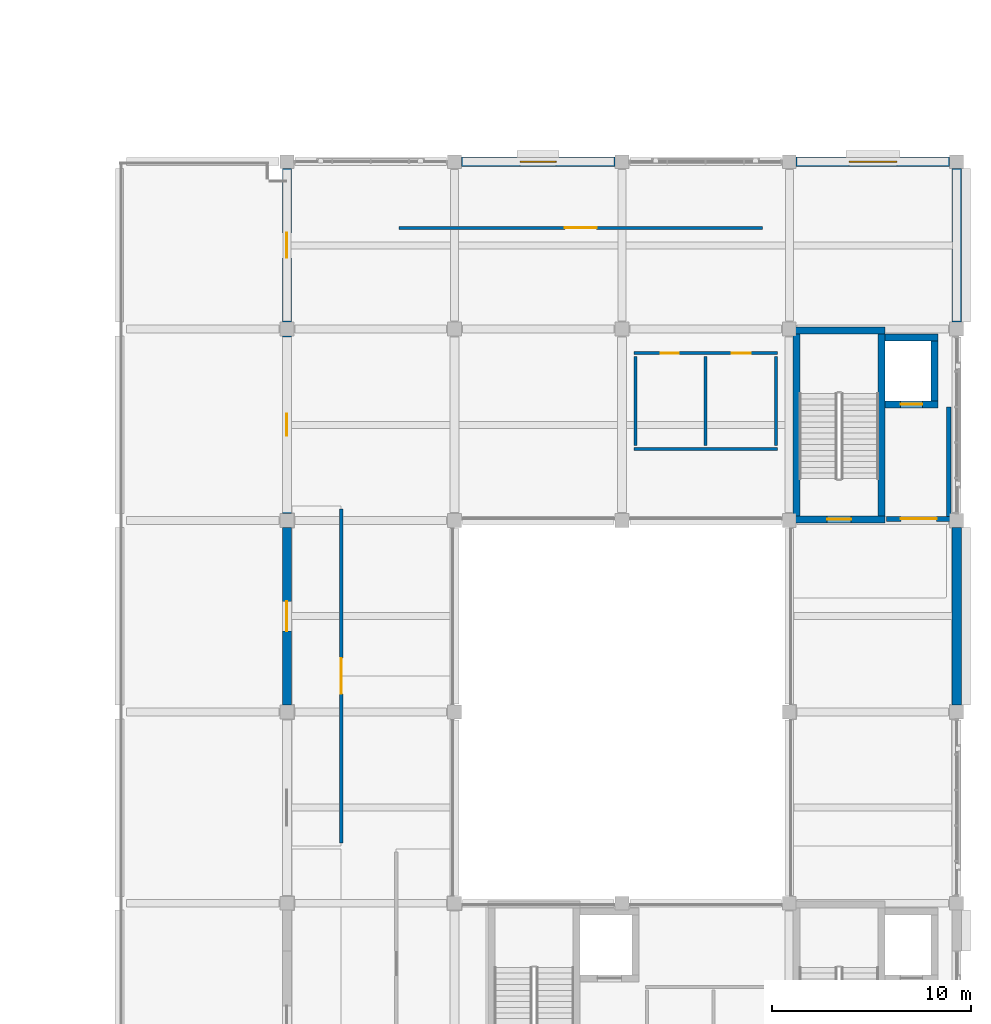
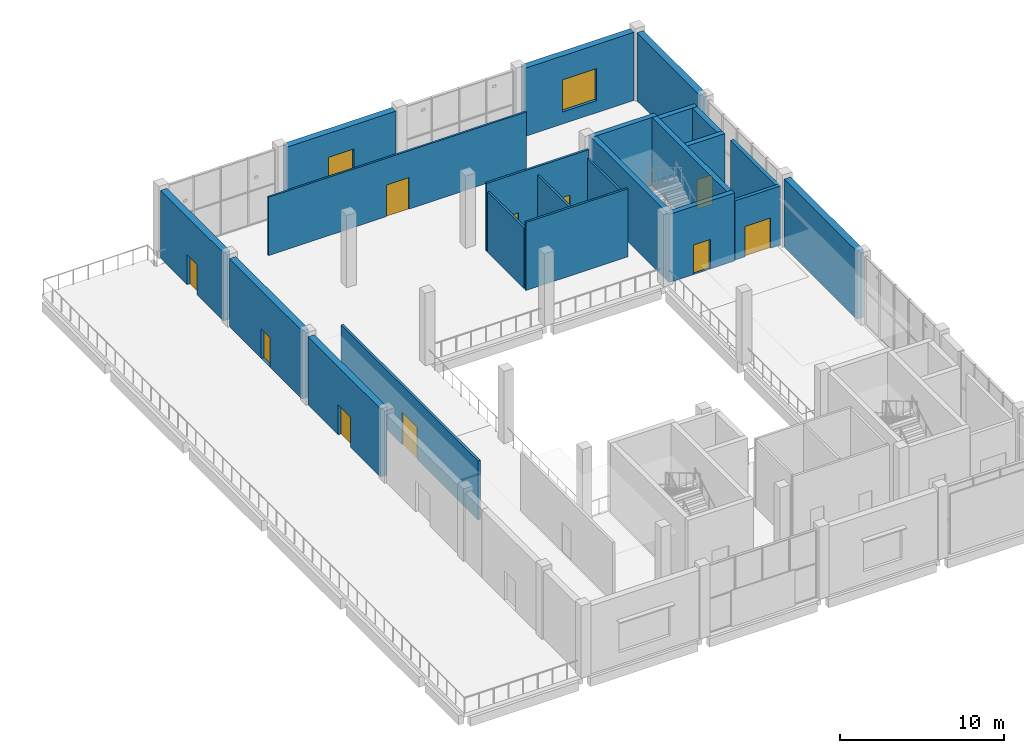
# One storey, part 60 of 83: 23 walls, 10 doors, 2 windows, 12 openings.
"""IFC4 building model written with IfcOpenShell, lengths in metres."""

import ifcopenshell
import ifcopenshell.guid

model = None  # the IFC model being written
_history = None  # IfcOwnerHistory: only IFC2X3 demands one
_inside = {}  # id of a spatial element -> (the spatial element, [elements in it])
_under = {}  # id of a project, library or spatial element -> (it, [spatial elements below it])
_declared = {}  # id of a project -> (the project, [libraries it declares])
_typed = {}  # id of a type object -> (the type object, [elements of that type])
_made_of = {}  # id of a material, layer set ... -> (it, [elements and type objects made of it])


def new_model(schema):
    """Start an empty IFC model of exactly this schema.

    Asked for "IFC4X3", IfcOpenShell would pick the latest addendum, in which some entities
    have other attributes; the version numbers below select the first issue.
    IFC2X3 requires an IfcOwnerHistory on every rooted entity: one is made here for all.
    """
    global model, _history
    if schema == "IFC4X3":
        model = ifcopenshell.file(schema_version=(4, 3, 0, 0))
    else:
        model = ifcopenshell.file(schema=schema)
    _inside.clear()
    _under.clear()
    _declared.clear()
    _typed.clear()
    _made_of.clear()
    _history = None
    if model.schema == "IFC2X3":
        org = make("IfcOrganization", Name="unknown")
        user = make(
            "IfcPersonAndOrganization",
            ThePerson=make("IfcPerson", FamilyName="unknown"),
            TheOrganization=org,
        )
        app = make(
            "IfcApplication",
            ApplicationDeveloper=org,
            Version="unknown",
            ApplicationFullName="unknown",
            ApplicationIdentifier="unknown",
        )
        _history = make(
            "IfcOwnerHistory",
            OwningUser=user,
            OwningApplication=app,
            ChangeAction="ADDED",
            CreationDate=0,
        )
    return model


def make(cls, **values):
    """One entity of the class cls with the attributes given. An attribute that is None is left unset."""
    return model.create_entity(
        cls, **{name: value for name, value in values.items() if value is not None}
    )


def rooted(cls, **values):
    """An entity with a GlobalId (a new one), such as an element, a storey or a relation."""
    return make(cls, GlobalId=ifcopenshell.guid.new(), OwnerHistory=_history, **values)


def si_unit(unit_type, name, prefix=None):
    """IfcSIUnit, for example si_unit("LENGTHUNIT", "METRE", prefix="MILLI")."""
    return make("IfcSIUnit", UnitType=unit_type, Prefix=prefix, Name=name)


def assignment(units):
    """IfcUnitAssignment: the units of a project."""
    return None if units is None else make("IfcUnitAssignment", Units=units)


def point(xyz):
    """IfcCartesianPoint."""
    return None if xyz is None else make("IfcCartesianPoint", Coordinates=xyz)


def direction(xyz):
    """IfcDirection."""
    return None if xyz is None else make("IfcDirection", DirectionRatios=xyz)


def frame(location, z_axis=None, x_axis=None):
    """IfcAxis2Placement3D, a coordinate frame: its origin and axes. An axis left out is left unset."""
    return make(
        "IfcAxis2Placement3D",
        Location=point(location),
        Axis=direction(z_axis),
        RefDirection=direction(x_axis),
    )


def frame_2d(location, x_axis=None):
    """IfcAxis2Placement2D, a coordinate frame in the plane: its origin and x axis."""
    return make(
        "IfcAxis2Placement2D", Location=point(location), RefDirection=direction(x_axis)
    )


def origin():
    """The frame at (0, 0, 0) with its axes left unset."""
    return frame((0.0, 0.0, 0.0))


def place(relative_to, where):
    """IfcLocalPlacement: puts the frame where relative to a parent placement (None: the world)."""
    return make(
        "IfcLocalPlacement", PlacementRelTo=relative_to, RelativePlacement=where
    )


def context(
    kind, dimensions, precision=None, world=None, true_north=None, identifier=None
):
    """IfcGeometricRepresentationContext, for example the 3D "Model" context."""
    return make(
        "IfcGeometricRepresentationContext",
        ContextIdentifier=identifier,
        ContextType=kind,
        CoordinateSpaceDimension=dimensions,
        Precision=precision,
        WorldCoordinateSystem=world,
        TrueNorth=true_north,
    )


def subcontext(parent, identifier, kind, view, scale=None):
    """IfcGeometricRepresentationSubContext, for example "Body" below "Model"."""
    return make(
        "IfcGeometricRepresentationSubContext",
        ContextIdentifier=identifier,
        ContextType=kind,
        ParentContext=parent,
        TargetScale=scale,
        TargetView=view,
    )


def project(units=None, contexts=None):
    """IfcProject with its units and contexts."""
    return rooted(
        "IfcProject",
        Name="project",
        RepresentationContexts=contexts,
        UnitsInContext=assignment(units),
    )


def spatial(cls, under=None, at=None, **own):
    """A site, building, storey or space (cls), placed at a placement, below another one or the project."""
    s = rooted(cls, ObjectPlacement=at, **own)
    if under is not None:
        _under.setdefault(under.id(), (under, []))[1].append(s)
    return s


def profile(cls, at=None, kind="AREA", **sizes):
    """A parametric profile (cls). Its sizes go by their IFC names, for example OverallWidth=200.0."""
    return make(cls, ProfileType=kind, Position=at, **sizes)


def rectangle(**sizes):
    """IfcRectangleProfileDef."""
    return profile("IfcRectangleProfileDef", **sizes)


def extrude(swept, where, along, depth):
    """IfcExtrudedAreaSolid: the profile swept, set in the frame where, extruded along a direction by depth."""
    return make(
        "IfcExtrudedAreaSolid",
        SweptArea=swept,
        Position=where,
        ExtrudedDirection=direction(along),
        Depth=depth,
    )


def shape(context_of_items, identifier, shape_type, items):
    """IfcShapeRepresentation: the items that make up one representation, for example the "Body"."""
    return make(
        "IfcShapeRepresentation",
        ContextOfItems=context_of_items,
        RepresentationIdentifier=identifier,
        RepresentationType=shape_type,
        Items=items,
    )


def material(Name=None, Category=None):
    """IfcMaterial."""
    return make("IfcMaterial", Name=Name, Category=Category)


def layer(
    of_material, thickness, ventilated=None, Name=None, Category=None, Priority=None
):
    """IfcMaterialLayer: one layer of a wall or slab, of a material (None: an air gap)."""
    return make(
        "IfcMaterialLayer",
        Material=of_material,
        LayerThickness=thickness,
        IsVentilated=ventilated,
        Name=Name,
        Category=Category,
        Priority=Priority,
    )


def layer_set(layers, Name=None):
    """IfcMaterialLayerSet."""
    return make("IfcMaterialLayerSet", MaterialLayers=layers, LayerSetName=Name)


def made_of(thing, what):
    """Note that an element or type object is made of a material, layer set ...; save() writes the relation."""
    if what is not None:
        _made_of.setdefault(what.id(), (what, []))[1].append(thing)
    return thing


def type_object(cls, material=None, **own):
    """A type object (cls), such as IfcWallType, which elements share."""
    return made_of(rooted(cls, **own), material)


def element(
    cls,
    number,
    at=None,
    inside=None,
    cuts=None,
    type_object=None,
    material=None,
    context=None,
    identifier="Body",
    shape_type=None,
    held_by="IfcProductDefinitionShape",
    body=None,
    shapes=None,
    **own,
):
    """One element of the class cls, such as IfcWall. Its Tag is "e" and its number.

    at: its placement. inside: the storey or other place that contains it. cuts: it is an
    opening in that element (IfcRelVoidsElement). A single representation is given by context,
    identifier, shape_type and body (its items); several are given by shapes. held_by: the class
    of the entity that holds the representations. save() writes the other relations.
    """
    e = rooted(cls, Tag="e%d" % number, ObjectPlacement=at, **own)
    if body is not None:
        shapes = [shape(context, identifier, shape_type, body)]
    if shapes is not None:
        e.Representation = make(held_by, Representations=shapes)
    if inside is not None:
        _inside.setdefault(inside.id(), (inside, []))[1].append(e)
    if cuts is not None:
        rooted(
            "IfcRelVoidsElement", RelatingBuildingElement=cuts, RelatedOpeningElement=e
        )
    if type_object is not None:
        _typed.setdefault(type_object.id(), (type_object, []))[1].append(e)
    return made_of(e, material)


def fill(opening, filler):
    """IfcRelFillsElement: the door or window that sits in an opening."""
    return rooted(
        "IfcRelFillsElement",
        RelatingOpeningElement=opening,
        RelatedBuildingElement=filler,
    )


def aggregate(whole, parts):
    """IfcRelAggregates: a whole, such as a stair, and the parts it consists of."""
    return rooted("IfcRelAggregates", RelatingObject=whole, RelatedObjects=parts)


def save(model, path):
    """Write the relations noted so far, then the file.

    IfcRelAggregates (storeys below a building ...), IfcRelContainedInSpatialStructure (elements
    in a storey), IfcRelDefinesByType, IfcRelAssociatesMaterial and IfcRelDeclares: one each for
    every whole, place, type object, material and project.
    """
    for whole, parts in _under.values():
        aggregate(whole, parts)
    for where, things in _inside.values():
        rooted(
            "IfcRelContainedInSpatialStructure",
            RelatedElements=things,
            RelatingStructure=where,
        )
    for kind, things in _typed.values():
        rooted("IfcRelDefinesByType", RelatedObjects=things, RelatingType=kind)
    for what, things in _made_of.values():
        rooted("IfcRelAssociatesMaterial", RelatedObjects=things, RelatingMaterial=what)
    for by, libraries in _declared.values():
        rooted("IfcRelDeclares", RelatingContext=by, RelatedDefinitions=libraries)
    model.write(path)


model = new_model("IFC4")

# Units and contexts
model_context = context("Model", 3, precision=1e-05, world=origin(), true_north=direction((0.0, 1.0)))
body_context = subcontext(model_context, "Body", "Model", "MODEL_VIEW")
ifc_project = project(units=[si_unit("LENGTHUNIT", "METRE"), si_unit("AREAUNIT", "SQUARE_METRE"), si_unit("VOLUMEUNIT", "CUBIC_METRE"), si_unit("PLANEANGLEUNIT", "RADIAN"), si_unit("MASSUNIT", "GRAM", prefix="KILO")], contexts=[model_context])

# Site, building, storey
site_placement = place(None, origin())
site = spatial("IfcSite", under=ifc_project, at=site_placement, CompositionType="ELEMENT")
building_placement = place(site_placement, origin())
building = spatial("IfcBuilding", under=site, at=building_placement, Name="Shalvenor Court Art Gallery", CompositionType="ELEMENT")
storey_placement = place(building_placement, frame((0.0, 0.0, 6.0)))
storey = spatial("IfcBuildingStorey", under=building, at=storey_placement, Name="L01", CompositionType="ELEMENT", Elevation=6.0)

# Walls
ifc_material_1 = material(Name="Concrete C40/50", Category="concrete")
ifc_layer_1 = layer(ifc_material_1, 0.35009765625, Name="Concrete C40/50")
ifc_layer_set_1 = layer_set([ifc_layer_1], Name="Concrete C40/50")
wall_type_1 = type_object("IfcWallType", Name="CW-W1", PredefinedType="SHEAR", material=ifc_layer_set_1)
wall_1_placement = place(storey_placement, frame((168.18798828125, 88.737060546875, 0.0), z_axis=(0.0, 0.0, 1.0), x_axis=(1.0, 0.0, 0.0)))
element("IfcWall", 1, at=wall_1_placement, inside=storey, type_object=wall_type_1, Name="L01 C1 Stair Core Shear Wall N", PredefinedType="SHEAR", context=body_context, shape_type="SweptSolid", body=[
    extrude(rectangle(XDim=4.6240234375, YDim=0.35009765625, at=frame_2d((2.31201171875, 0.0))), origin(), (0.0, 0.0, 1.0), 5.080078125),
])
wall_2_placement = place(storey_placement, frame((172.636962890625, 88.56201171875, 0.0), z_axis=(0.0, 0.0, 1.0), x_axis=(0.0, -1.0, 0.0)))
element("IfcWall", 2, at=wall_2_placement, inside=storey, type_object=wall_type_1, Name="L01 C1 Stair Core Shear Wall E", PredefinedType="SHEAR", context=body_context, shape_type="SweptSolid", body=[
    extrude(rectangle(XDim=9.1240234375, YDim=0.35009765625, at=frame_2d((4.56201171875, 0.0))), origin(), (0.0, 0.0, 1.0), 5.080078125),
])

# Wall, opening, door
wall_3_placement = place(storey_placement, frame((172.81201171875, 79.262939453125, 0.0), z_axis=(0.0, 0.0, 1.0), x_axis=(-1.0, 0.0, 0.0)))
wall_3 = element("IfcWall", 3, at=wall_3_placement, inside=storey, type_object=wall_type_1, Name="L01 C1 Stair Core Shear Wall S", PredefinedType="SHEAR", context=body_context, shape_type="SweptSolid", body=[
    extrude(rectangle(XDim=4.6240234375, YDim=0.35009765625, at=frame_2d((2.31201171875, 0.0))), origin(), (0.0, 0.0, 1.0), 5.080078125),
])
opening_1_placement = place(wall_3_placement, frame((1.7119140625, 0.0, 0.0)))
opening_1 = element("IfcOpeningElement", 4, at=opening_1_placement, cuts=wall_3, Name="Opening FD-01", PredefinedType="OPENING", context=body_context, shape_type="SweptSolid", body=[
    extrude(rectangle(XDim=1.199951171875, YDim=2.199951171875, at=frame_2d((0.60009765625, 1.10009765625))), frame((0.0, 0.18505859375, 0.0), z_axis=(0.0, -1.0, 0.0), x_axis=(1.0, 0.0, 0.0)), (0.0, 0.0, 1.0), 0.3701171875),
])
ifc_material_2 = material(Name="Fire-rated steel stair doorset", Category="steel")
door_type_1 = type_object("IfcDoorType", Name="FD-01", OperationType="NOTDEFINED", PredefinedType="DOOR", material=ifc_material_2)
door_1_placement = place(opening_1_placement, origin())
door_1 = element("IfcDoor", 5, at=door_1_placement, inside=storey, type_object=door_type_1, Name="DR-ST-L01-C1 L01 ST-01 Fire Stair Door", OperationType="SINGLE_SWING_RIGHT", OverallHeight=2.199951171875, OverallWidth=1.199951171875, PredefinedType="DOOR", context=body_context, shape_type="SweptSolid", body=[
    extrude(rectangle(XDim=1.199951171875, YDim=2.199951171875, at=frame_2d((0.60009765625, 1.10009765625))), frame((0.0, 0.02490234375, 0.0), z_axis=(0.0, -1.0, 0.0), x_axis=(1.0, 0.0, 0.0)), (0.0, 0.0, 1.0), 0.050048828125),
])
fill(opening_1, door_1)

# Walls
wall_4_placement = place(storey_placement, frame((168.363037109375, 79.43798828125, 0.0), z_axis=(0.0, 0.0, 1.0), x_axis=(0.0, 1.0, 0.0)))
element("IfcWall", 6, at=wall_4_placement, inside=storey, type_object=wall_type_1, Name="L01 C1 Stair Core Shear Wall W", PredefinedType="SHEAR", context=body_context, shape_type="SweptSolid", body=[
    extrude(rectangle(XDim=9.1240234375, YDim=0.35009765625, at=frame_2d((4.56201171875, 0.0))), origin(), (0.0, 0.0, 1.0), 5.080078125),
])
wall_5_placement = place(storey_placement, frame((172.81201171875, 88.375, 0.0), z_axis=(0.0, 0.0, 1.0), x_axis=(1.0, 0.0, 0.0)))
element("IfcWall", 7, at=wall_5_placement, inside=storey, type_object=wall_type_1, Name="L01 FL-01 Lift Shaft Wall N", PredefinedType="SHEAR", context=body_context, shape_type="SweptSolid", body=[
    extrude(rectangle(XDim=2.637939453125, YDim=0.35009765625, at=frame_2d((1.31884765625, 0.0))), origin(), (0.0, 0.0, 1.0), 5.080078125),
])
wall_6_placement = place(storey_placement, frame((175.27490234375, 88.199951171875, 0.0), z_axis=(0.0, 0.0, 1.0), x_axis=(0.0, -1.0, 0.0)))
element("IfcWall", 8, at=wall_6_placement, inside=storey, type_object=wall_type_1, Name="L01 FL-01 Lift Shaft Wall E", PredefinedType="SHEAR", context=body_context, shape_type="SweptSolid", body=[
    extrude(rectangle(XDim=3.0, YDim=0.35009765625, at=frame_2d((1.5, 0.0))), origin(), (0.0, 0.0, 1.0), 5.080078125),
])

# Wall, opening, door
wall_7_placement = place(storey_placement, frame((175.449951171875, 85.02490234375, 0.0), z_axis=(0.0, 0.0, 1.0), x_axis=(-1.0, 0.0, 0.0)))
wall_7 = element("IfcWall", 9, at=wall_7_placement, inside=storey, type_object=wall_type_1, Name="L01 FL-01 Lift Shaft Wall S", PredefinedType="SHEAR", context=body_context, shape_type="SweptSolid", body=[
    extrude(rectangle(XDim=2.637939453125, YDim=0.35009765625, at=frame_2d((1.31884765625, 0.0))), origin(), (0.0, 0.0, 1.0), 5.080078125),
])
opening_2_placement = place(wall_7_placement, frame((0.76904296875, 0.0, 0.0)))
opening_2 = element("IfcOpeningElement", 10, at=opening_2_placement, cuts=wall_7, Name="Opening LD-01", PredefinedType="OPENING", context=body_context, shape_type="SweptSolid", body=[
    extrude(rectangle(XDim=1.10009765625, YDim=2.199951171875, at=frame_2d((0.550048828125, 1.10009765625))), frame((0.0, 0.18505859375, 0.0), z_axis=(0.0, -1.0, 0.0), x_axis=(1.0, 0.0, 0.0)), (0.0, 0.0, 1.0), 0.3701171875),
])
ifc_material_3 = material(Name="Stainless steel firefighting lift sliding landing door", Category="steel")
door_type_2 = type_object("IfcDoorType", Name="LD-01", OperationType="NOTDEFINED", PredefinedType="DOOR", material=ifc_material_3)
door_2_placement = place(opening_2_placement, origin())
door_2 = element("IfcDoor", 11, at=door_2_placement, inside=storey, type_object=door_type_2, Name="DR-LD-L01-FL-01 L01 FL-01 Lift Landing Sliding Door", OperationType="DOUBLE_DOOR_SLIDING", OverallHeight=2.199951171875, OverallWidth=1.10009765625, PredefinedType="DOOR", context=body_context, shape_type="SweptSolid", body=[
    extrude(rectangle(XDim=1.10009765625, YDim=2.199951171875, at=frame_2d((0.550048828125, 1.10009765625))), frame((0.0, 0.02490234375, 0.0), z_axis=(0.0, -1.0, 0.0), x_axis=(1.0, 0.0, 0.0)), (0.0, 0.0, 1.0), 0.050048828125),
])
fill(opening_2, door_2)

# Wall, opening, window
ifc_material_4 = material(Name="Concrete C40/50", Category="concrete")
ifc_layer_2 = layer(ifc_material_4, 0.4599609375, Name="Concrete C40/50")
ifc_layer_set_2 = layer_set([ifc_layer_2], Name="Concrete C40/50")
wall_type_2 = type_object("IfcWallType", Name="EW-01", PredefinedType="SOLIDWALL", material=ifc_layer_set_2)
wall_8_placement = place(storey_placement, frame((151.550048828125, 97.199951171875, 0.0), z_axis=(0.0, 0.0, 1.0), x_axis=(1.0, 0.0, 0.0)))
wall_8 = element("IfcWall", 12, at=wall_8_placement, inside=storey, type_object=wall_type_2, Name="L01 V1 Exterior Wall WL-L01-0047", PredefinedType="SOLIDWALL", context=body_context, shape_type="SweptSolid", body=[
    extrude(rectangle(XDim=7.699951171875, YDim=0.4599609375, at=frame_2d((3.85009765625, 0.0))), origin(), (0.0, 0.0, 1.0), 5.080078125),
])
opening_3_placement = place(wall_8_placement, frame((2.949951171875, 0.0, 0.89990234375)))
opening_3 = element("IfcOpeningElement", 13, at=opening_3_placement, cuts=wall_8, Name="Opening WN-01", PredefinedType="OPENING", context=body_context, shape_type="SweptSolid", body=[
    extrude(rectangle(XDim=1.800048828125, YDim=2.39990234375, at=frame_2d((0.89990234375, 1.199951171875))), frame((0.0, 0.239990234375, 0.0), z_axis=(0.0, -1.0, 0.0), x_axis=(1.0, 0.0, 0.0)), (0.0, 0.0, 1.0), 0.47998046875),
])
ifc_material_5 = material(Name="Low-iron solar-control double IGU", Category="glass")
window_type_1 = type_object("IfcWindowType", Name="WN-01", PartitioningType="SINGLE_PANEL", PredefinedType="WINDOW", material=ifc_material_5)
window_1_placement = place(opening_3_placement, origin())
window_1 = element("IfcWindow", 14, at=window_1_placement, inside=storey, type_object=window_type_1, Name="L01 Window WIN-L01-0001", OverallHeight=2.39990234375, OverallWidth=1.800048828125, PartitioningType="SINGLE_PANEL", PredefinedType="WINDOW", context=body_context, shape_type="SweptSolid", body=[
    extrude(rectangle(XDim=1.800048828125, YDim=2.39990234375, at=frame_2d((0.89990234375, 1.199951171875))), frame((0.0, 0.030029296875, 0.0), z_axis=(0.0, -1.0, 0.0), x_axis=(1.0, 0.0, 0.0)), (0.0, 0.0, 1.0), 0.06005859375),
])
fill(opening_3, window_1)

wall_9_placement = place(storey_placement, frame((168.35009765625, 97.199951171875, 0.0), z_axis=(0.0, 0.0, 1.0), x_axis=(1.0, 0.0, 0.0)))
wall_9 = element("IfcWall", 15, at=wall_9_placement, inside=storey, type_object=wall_type_2, Name="L01 V1 Exterior Wall WL-L01-0048", PredefinedType="SOLIDWALL", context=body_context, shape_type="SweptSolid", body=[
    extrude(rectangle(XDim=7.699951171875, YDim=0.4599609375, at=frame_2d((3.85009765625, 0.0))), origin(), (0.0, 0.0, 1.0), 5.080078125),
])
opening_4_placement = place(wall_9_placement, frame((2.64990234375, 0.0, 0.89990234375)))
opening_4 = element("IfcOpeningElement", 16, at=opening_4_placement, cuts=wall_9, Name="Opening WN-02", PredefinedType="OPENING", context=body_context, shape_type="SweptSolid", body=[
    extrude(rectangle(XDim=2.39990234375, YDim=2.39990234375, at=frame_2d((1.199951171875, 1.199951171875))), frame((0.0, 0.239990234375, 0.0), z_axis=(0.0, -1.0, 0.0), x_axis=(1.0, 0.0, 0.0)), (0.0, 0.0, 1.0), 0.47998046875),
])
ifc_material_6 = material(Name="Low-iron solar-control double IGU", Category="glass")
window_type_2 = type_object("IfcWindowType", Name="WN-02", PartitioningType="SINGLE_PANEL", PredefinedType="WINDOW", material=ifc_material_6)
window_2_placement = place(opening_4_placement, origin())
window_2 = element("IfcWindow", 17, at=window_2_placement, inside=storey, type_object=window_type_2, Name="L01 Window WIN-L01-0002", OverallHeight=2.39990234375, OverallWidth=2.39990234375, PartitioningType="SINGLE_PANEL", PredefinedType="WINDOW", context=body_context, shape_type="SweptSolid", body=[
    extrude(rectangle(XDim=2.39990234375, YDim=2.39990234375, at=frame_2d((1.199951171875, 1.199951171875))), frame((0.0, 0.030029296875, 0.0), z_axis=(0.0, -1.0, 0.0), x_axis=(1.0, 0.0, 0.0)), (0.0, 0.0, 1.0), 0.06005859375),
])
fill(opening_4, window_2)

# Walls
wall_10_placement = place(storey_placement, frame((176.39990234375, 96.85009765625, 0.0), z_axis=(0.0, 0.0, 1.0), x_axis=(0.0, -1.0, 0.0)))
element("IfcWall", 18, at=wall_10_placement, inside=storey, type_object=wall_type_2, Name="L01 V1 Exterior Wall WL-L01-0049", PredefinedType="SOLIDWALL", context=body_context, shape_type="SweptSolid", body=[
    extrude(rectangle(XDim=7.7001953125, YDim=0.4599609375, at=frame_2d((3.85009765625, 0.0))), origin(), (0.0, 0.0, 1.0), 5.080078125),
])
wall_11_placement = place(storey_placement, frame((176.39990234375, 78.85009765625, 0.0), z_axis=(0.0, 0.0, 1.0), x_axis=(0.0, -1.0, 0.0)))
element("IfcWall", 19, at=wall_11_placement, inside=storey, type_object=wall_type_2, Name="L01 V1 Exterior Wall WL-L01-0050", PredefinedType="SOLIDWALL", context=body_context, shape_type="SweptSolid", body=[
    extrude(rectangle(XDim=8.900146484375, YDim=0.4599609375, at=frame_2d((4.4501953125, 0.0))), origin(), (0.0, 0.0, 1.0), 5.080078125),
])

# Wall, opening, door
wall_12_placement = place(storey_placement, frame((142.800048828125, 69.949951171875, 0.0), z_axis=(0.0, 0.0, 1.0), x_axis=(0.0, 1.0, 0.0)))
wall_12 = element("IfcWall", 20, at=wall_12_placement, inside=storey, type_object=wall_type_2, Name="L01 V1 Exterior Wall WL-L01-0059", PredefinedType="SOLIDWALL", context=body_context, shape_type="SweptSolid", body=[
    extrude(rectangle(XDim=8.900146484375, YDim=0.4599609375, at=frame_2d((4.4501953125, 0.0))), origin(), (0.0, 0.0, 1.0), 5.080078125),
])
opening_5_placement = place(wall_12_placement, frame((3.699951171875, 0.0, 0.0)))
opening_5 = element("IfcOpeningElement", 21, at=opening_5_placement, cuts=wall_12, Name="Opening TD-02", PredefinedType="OPENING", context=body_context, shape_type="SweptSolid", body=[
    extrude(rectangle(XDim=1.5, YDim=2.25, at=frame_2d((0.75, 1.125))), frame((0.0, 0.239990234375, 0.0), z_axis=(0.0, -1.0, 0.0), x_axis=(1.0, 0.0, 0.0)), (0.0, 0.0, 1.0), 0.47998046875),
])
ifc_material_7 = material(Name="Anodised aluminium glazed terrace door", Category="aluminium")
door_type_3 = type_object("IfcDoorType", Name="TD-02", OperationType="NOTDEFINED", PredefinedType="DOOR", material=ifc_material_7)
door_3_placement = place(opening_5_placement, origin())
door_3 = element("IfcDoor", 22, at=door_3_placement, inside=storey, type_object=door_type_3, Name="DR-TR-020 L01 Gallery Terrace Door", OperationType="DOUBLE_DOOR_SINGLE_SWING", OverallHeight=2.25, OverallWidth=1.5, PredefinedType="DOOR", context=body_context, shape_type="SweptSolid", body=[
    extrude(rectangle(XDim=1.5, YDim=2.25, at=frame_2d((0.75, 1.125))), frame((0.0, 0.02490234375, 0.0), z_axis=(0.0, -1.0, 0.0), x_axis=(1.0, 0.0, 0.0)), (0.0, 0.0, 1.0), 0.050048828125),
])
fill(opening_5, door_3)

wall_13_placement = place(storey_placement, frame((142.800048828125, 79.550048828125, 0.0), z_axis=(0.0, 0.0, 1.0), x_axis=(0.0, 1.0, 0.0)))
wall_13 = element("IfcWall", 23, at=wall_13_placement, inside=storey, type_object=wall_type_2, Name="L01 V1 Exterior Wall WL-L01-0060", PredefinedType="SOLIDWALL", context=body_context, shape_type="SweptSolid", body=[
    extrude(rectangle(XDim=8.89990234375, YDim=0.4599609375, at=frame_2d((4.449951171875, 0.0))), origin(), (0.0, 0.0, 1.0), 5.080078125),
])
opening_6_placement = place(wall_13_placement, frame((3.89990234375, 0.0, 0.0)))
opening_6 = element("IfcOpeningElement", 24, at=opening_6_placement, cuts=wall_13, Name="Opening TD-03", PredefinedType="OPENING", context=body_context, shape_type="SweptSolid", body=[
    extrude(rectangle(XDim=1.10009765625, YDim=2.199951171875, at=frame_2d((0.550048828125, 1.10009765625))), frame((0.0, 0.239990234375, 0.0), z_axis=(0.0, -1.0, 0.0), x_axis=(1.0, 0.0, 0.0)), (0.0, 0.0, 1.0), 0.47998046875),
])
ifc_material_8 = material(Name="Anodised aluminium glazed terrace door", Category="aluminium")
door_type_4 = type_object("IfcDoorType", Name="TD-03", OperationType="NOTDEFINED", PredefinedType="DOOR", material=ifc_material_8)
door_4_placement = place(opening_6_placement, origin())
door_4 = element("IfcDoor", 25, at=door_4_placement, inside=storey, type_object=door_type_4, Name="DR-TR-021 L01 Gallery Terrace Door", OperationType="SINGLE_SWING_LEFT", OverallHeight=2.199951171875, OverallWidth=1.10009765625, PredefinedType="DOOR", context=body_context, shape_type="SweptSolid", body=[
    extrude(rectangle(XDim=1.10009765625, YDim=2.199951171875, at=frame_2d((0.550048828125, 1.10009765625))), frame((0.0, 0.02490234375, 0.0), z_axis=(0.0, -1.0, 0.0), x_axis=(1.0, 0.0, 0.0)), (0.0, 0.0, 1.0), 0.050048828125),
])
fill(opening_6, door_4)

wall_14_placement = place(storey_placement, frame((142.800048828125, 89.14990234375, 0.0), z_axis=(0.0, 0.0, 1.0), x_axis=(0.0, 1.0, 0.0)))
wall_14 = element("IfcWall", 26, at=wall_14_placement, inside=storey, type_object=wall_type_2, Name="L01 V1 Exterior Wall WL-L01-0061", PredefinedType="SOLIDWALL", context=body_context, shape_type="SweptSolid", body=[
    extrude(rectangle(XDim=7.7001953125, YDim=0.4599609375, at=frame_2d((3.85009765625, 0.0))), origin(), (0.0, 0.0, 1.0), 5.080078125),
])
opening_7_placement = place(wall_14_placement, frame((3.22509765625, 0.0, 0.0)))
opening_7 = element("IfcOpeningElement", 27, at=opening_7_placement, cuts=wall_14, Name="Opening TD-04", PredefinedType="OPENING", context=body_context, shape_type="SweptSolid", body=[
    extrude(rectangle(XDim=1.25, YDim=2.25, at=frame_2d((0.625, 1.125))), frame((0.0, 0.239990234375, 0.0), z_axis=(0.0, -1.0, 0.0), x_axis=(1.0, 0.0, 0.0)), (0.0, 0.0, 1.0), 0.47998046875),
])
ifc_material_9 = material(Name="Anodised aluminium glazed terrace door", Category="aluminium")
door_type_5 = type_object("IfcDoorType", Name="TD-04", OperationType="NOTDEFINED", PredefinedType="DOOR", material=ifc_material_9)
door_5_placement = place(opening_7_placement, origin())
door_5 = element("IfcDoor", 28, at=door_5_placement, inside=storey, type_object=door_type_5, Name="DR-TR-022 L01 Gallery Terrace Door", OperationType="SINGLE_SWING_RIGHT", OverallHeight=2.25, OverallWidth=1.25, PredefinedType="DOOR", context=body_context, shape_type="SweptSolid", body=[
    extrude(rectangle(XDim=1.25, YDim=2.25, at=frame_2d((0.625, 1.125))), frame((0.0, 0.02490234375, 0.0), z_axis=(0.0, -1.0, 0.0), x_axis=(1.0, 0.0, 0.0)), (0.0, 0.0, 1.0), 0.050048828125),
])
fill(opening_7, door_5)

# Wall
ifc_material_10 = material(Name="Concrete blockwork fire wall", Category="masonry")
ifc_layer_3 = layer(ifc_material_10, 0.239990234375, Name="Concrete blockwork fire wall")
ifc_layer_set_3 = layer_set([ifc_layer_3], Name="Concrete blockwork fire wall")
wall_type_3 = type_object("IfcWallType", Name="FW-01", PredefinedType="PARTITIONING", material=ifc_layer_set_3)
wall_15_placement = place(storey_placement, frame((176.0, 84.89990234375, 0.0), z_axis=(0.0, 0.0, 1.0), x_axis=(0.0, -1.0, 0.0)))
element("IfcWall", 29, at=wall_15_placement, inside=storey, type_object=wall_type_3, Name="L01 C1 Firefighting Lobby Wall E", PredefinedType="PARTITIONING", context=body_context, shape_type="SweptSolid", body=[
    extrude(rectangle(XDim=5.5, YDim=0.239990234375, at=frame_2d((2.75, 0.0))), origin(), (0.0, 0.0, 1.0), 4.405029296875),
])

# Wall, opening, door
wall_16_placement = place(storey_placement, frame((176.1201171875, 79.280029296875, 0.0), z_axis=(0.0, 0.0, 1.0), x_axis=(-1.0, 0.0, 0.0)))
wall_16 = element("IfcWall", 30, at=wall_16_placement, inside=storey, type_object=wall_type_3, Name="L01 C1 Firefighting Lobby Wall S", PredefinedType="PARTITIONING", context=body_context, shape_type="SweptSolid", body=[
    extrude(rectangle(XDim=3.25, YDim=0.239990234375, at=frame_2d((1.625, 0.0))), origin(), (0.0, 0.0, 1.0), 4.405029296875),
])
opening_8_placement = place(wall_16_placement, frame((0.72509765625, 0.0, 0.0)))
opening_8 = element("IfcOpeningElement", 31, at=opening_8_placement, cuts=wall_16, Name="Opening FD-02", PredefinedType="OPENING", context=body_context, shape_type="SweptSolid", body=[
    extrude(rectangle(XDim=1.800048828125, YDim=2.25, at=frame_2d((0.89990234375, 1.125))), frame((0.0, 0.1298828125, 0.0), z_axis=(0.0, -1.0, 0.0), x_axis=(1.0, 0.0, 0.0)), (0.0, 0.0, 1.0), 0.260009765625),
])
ifc_material_11 = material(Name="Fire-rated double lobby doorset", Category="steel")
door_type_6 = type_object("IfcDoorType", Name="FD-02", OperationType="NOTDEFINED", PredefinedType="DOOR", material=ifc_material_11)
door_6_placement = place(opening_8_placement, origin())
door_6 = element("IfcDoor", 32, at=door_6_placement, inside=storey, type_object=door_type_6, Name="DR-FFL-L01-C1 L01 C1 Firefighting Lobby Double Door", OperationType="DOUBLE_DOOR_SINGLE_SWING", OverallHeight=2.25, OverallWidth=1.800048828125, PredefinedType="DOOR", context=body_context, shape_type="SweptSolid", body=[
    extrude(rectangle(XDim=1.800048828125, YDim=2.25, at=frame_2d((0.89990234375, 1.125))), frame((0.0, 0.02490234375, 0.0), z_axis=(0.0, -1.0, 0.0), x_axis=(1.0, 0.0, 0.0)), (0.0, 0.0, 1.0), 0.050048828125),
])
fill(opening_8, door_6)

ifc_material_12 = material(Name="Double-stud acoustic gallery partition", Category="other")
ifc_layer_4 = layer(ifc_material_12, 0.1650390625, Name="Double-stud acoustic gallery partition")
ifc_layer_set_4 = layer_set([ifc_layer_4], Name="Double-stud acoustic gallery partition")
wall_type_4 = type_object("IfcWallType", Name="PT-02", PredefinedType="PARTITIONING", material=ifc_layer_set_4)
wall_17_placement = place(storey_placement, frame((145.52001953125, 79.77001953125, 0.0), z_axis=(0.0, 0.0, 1.0), x_axis=(0.0, -1.0, 0.0)))
wall_17 = element("IfcWall", 33, at=wall_17_placement, inside=storey, type_object=wall_type_4, Name="L01 Photography Exhibition Gallery Wing B Partition 622", PredefinedType="PARTITIONING", context=body_context, shape_type="SweptSolid", body=[
    extrude(rectangle(XDim=16.739990234375, YDim=0.1650390625, at=frame_2d((8.3701171875, 0.0))), origin(), (0.0, 0.0, 1.0), 4.405029296875),
])
opening_9_placement = place(wall_17_placement, frame((7.469970703125, 0.0, 0.0)))
opening_9 = element("IfcOpeningElement", 34, at=opening_9_placement, cuts=wall_17, Name="Opening ID-01", PredefinedType="OPENING", context=body_context, shape_type="SweptSolid", body=[
    extrude(rectangle(XDim=1.800048828125, YDim=2.39990234375, at=frame_2d((0.89990234375, 1.199951171875))), frame((0.0, 0.092529296875, 0.0), z_axis=(0.0, -1.0, 0.0), x_axis=(1.0, 0.0, 0.0)), (0.0, 0.0, 1.0), 0.18505859375),
])
ifc_material_13 = material(Name="Oak-veneered acoustic gallery double doorset", Category="wood")
door_type_7 = type_object("IfcDoorType", Name="ID-01", OperationType="NOTDEFINED", PredefinedType="DOOR", material=ifc_material_13)
door_7_placement = place(opening_9_placement, origin())
door_7 = element("IfcDoor", 35, at=door_7_placement, inside=storey, type_object=door_type_7, Name="DR-RM-L01-0153 L01 Photography Exhibition Gallery Wing B Door", OperationType="DOUBLE_DOOR_SINGLE_SWING", OverallHeight=2.39990234375, OverallWidth=1.800048828125, PredefinedType="DOOR", context=body_context, shape_type="SweptSolid", body=[
    extrude(rectangle(XDim=1.800048828125, YDim=2.39990234375, at=frame_2d((0.89990234375, 1.199951171875))), frame((0.0, 0.02490234375, 0.0), z_axis=(0.0, -1.0, 0.0), x_axis=(1.0, 0.0, 0.0)), (0.0, 0.0, 1.0), 0.050048828125),
])
fill(opening_9, door_7)

# Wall, openings, doors
ifc_material_14 = material(Name="Moisture-resistant sanitary partition", Category="other")
ifc_layer_5 = layer(ifc_material_14, 0.14990234375, Name="Moisture-resistant sanitary partition")
ifc_layer_set_5 = layer_set([ifc_layer_5], Name="Moisture-resistant sanitary partition")
wall_type_5 = type_object("IfcWallType", Name="PT-03", PredefinedType="PARTITIONING", material=ifc_layer_set_5)
wall_18_placement = place(storey_placement, frame((160.199951171875, 87.60009765625, 0.0), z_axis=(0.0, 0.0, 1.0), x_axis=(1.0, 0.0, 0.0)))
wall_18 = element("IfcWall", 36, at=wall_18_placement, inside=storey, type_object=wall_type_5, Name="L01 C1 Restroom Front Partition", PredefinedType="PARTITIONING", context=body_context, shape_type="SweptSolid", body=[
    extrude(rectangle(XDim=7.199951171875, YDim=0.14990234375, at=frame_2d((3.60009765625, 0.0))), origin(), (0.0, 0.0, 1.0), 5.080078125),
])
opening_10_placement = place(wall_18_placement, frame((1.35009765625, 0.0, 0.0)))
opening_10 = element("IfcOpeningElement", 37, at=opening_10_placement, cuts=wall_18, Name="Opening ID-07", PredefinedType="OPENING", context=body_context, shape_type="SweptSolid", body=[
    extrude(rectangle(XDim=0.89990234375, YDim=2.10009765625, at=frame_2d((0.449951171875, 1.050048828125))), frame((0.0, 0.0849609375, 0.0), z_axis=(0.0, -1.0, 0.0), x_axis=(1.0, 0.0, 0.0)), (0.0, 0.0, 1.0), 0.169921875),
])
opening_11_placement = place(wall_18_placement, frame((4.925048828125, 0.0, 0.0)))
opening_11 = element("IfcOpeningElement", 38, at=opening_11_placement, cuts=wall_18, Name="Opening ID-06", PredefinedType="OPENING", context=body_context, shape_type="SweptSolid", body=[
    extrude(rectangle(XDim=0.949951171875, YDim=2.14990234375, at=frame_2d((0.47509765625, 1.074951171875))), frame((0.0, 0.0849609375, 0.0), z_axis=(0.0, -1.0, 0.0), x_axis=(1.0, 0.0, 0.0)), (0.0, 0.0, 1.0), 0.169921875),
])
ifc_material_15 = material(Name="Accessible restroom doorset", Category="steel")
door_type_8 = type_object("IfcDoorType", Name="ID-06", OperationType="NOTDEFINED", PredefinedType="DOOR", material=ifc_material_15)
door_8_placement = place(opening_11_placement, origin())
door_8 = element("IfcDoor", 39, at=door_8_placement, inside=storey, type_object=door_type_8, Name="DR-AWC-L01-C1-2 L01 C1 Accessible Restroom Door", OperationType="SINGLE_SWING_RIGHT", OverallHeight=2.14990234375, OverallWidth=0.949951171875, PredefinedType="DOOR", context=body_context, shape_type="SweptSolid", body=[
    extrude(rectangle(XDim=0.949951171875, YDim=2.14990234375, at=frame_2d((0.47509765625, 1.074951171875))), frame((0.0, 0.02490234375, 0.0), z_axis=(0.0, -1.0, 0.0), x_axis=(1.0, 0.0, 0.0)), (0.0, 0.0, 1.0), 0.050048828125),
])
fill(opening_11, door_8)
ifc_material_16 = material(Name="Restroom timber doorset", Category="wood")
door_type_9 = type_object("IfcDoorType", Name="ID-07", OperationType="NOTDEFINED", PredefinedType="DOOR", material=ifc_material_16)
door_9_placement = place(opening_10_placement, origin())
door_9 = element("IfcDoor", 40, at=door_9_placement, inside=storey, type_object=door_type_9, Name="DR-WC-L01-C1-1 L01 C1 Public Restroom Door", OperationType="SINGLE_SWING_LEFT", OverallHeight=2.10009765625, OverallWidth=0.89990234375, PredefinedType="DOOR", context=body_context, shape_type="SweptSolid", body=[
    extrude(rectangle(XDim=0.89990234375, YDim=2.10009765625, at=frame_2d((0.449951171875, 1.050048828125))), frame((0.0, 0.02490234375, 0.0), z_axis=(0.0, -1.0, 0.0), x_axis=(1.0, 0.0, 0.0)), (0.0, 0.0, 1.0), 0.050048828125),
])
fill(opening_10, door_9)

# Walls
wall_19_placement = place(storey_placement, frame((160.199951171875, 82.800048828125, 0.0), z_axis=(0.0, 0.0, 1.0), x_axis=(1.0, 0.0, 0.0)))
element("IfcWall", 41, at=wall_19_placement, inside=storey, type_object=wall_type_5, Name="L01 C1 Restroom Back Partition", PredefinedType="PARTITIONING", context=body_context, shape_type="SweptSolid", body=[
    extrude(rectangle(XDim=7.199951171875, YDim=0.14990234375, at=frame_2d((3.60009765625, 0.0))), origin(), (0.0, 0.0, 1.0), 5.080078125),
])
for number, where, z_axis, x_axis, name in (
    (42, (160.27490234375, 82.9599609375, 0.0), (0.0, 0.0, 1.0), (0.0, 1.0, 0.0), "L01 C1 Restroom Partition L"),
    (43, (163.800048828125, 82.9599609375, 0.0), (0.0, 0.0, 1.0), (0.0, 1.0, 0.0), "L01 C1 Restroom Partition M"),
    (44, (167.324951171875, 82.9599609375, 0.0), (0.0, 0.0, 1.0), (0.0, 1.0, 0.0), "L01 C1 Restroom Partition R"),
):
    element("IfcWall", number, at=place(storey_placement, frame(where, z_axis=z_axis, x_axis=x_axis)), inside=storey, type_object=wall_type_5, Name=name, PredefinedType="PARTITIONING", context=body_context, shape_type="SweptSolid", body=[
        extrude(rectangle(XDim=4.47998046875, YDim=0.14990234375, at=frame_2d((2.239990234375, 0.0))), origin(), (0.0, 0.0, 1.0), 4.5048828125),
    ])

# Wall, opening, door
ifc_material_17 = material(Name="Insulated studio acoustic partition", Category="other")
ifc_layer_6 = layer(ifc_material_17, 0.135009765625, Name="Insulated studio acoustic partition")
ifc_layer_set_6 = layer_set([ifc_layer_6], Name="Insulated studio acoustic partition")
wall_type_6 = type_object("IfcWallType", Name="PT-04", PredefinedType="PARTITIONING", material=ifc_layer_set_6)
wall_20_placement = place(storey_placement, frame((166.64990234375, 93.8798828125, 0.0), z_axis=(0.0, 0.0, 1.0), x_axis=(-1.0, 0.0, 0.0)))
wall_20 = element("IfcWall", 45, at=wall_20_placement, inside=storey, type_object=wall_type_6, Name="L01 Curatorial Office Partition 623", PredefinedType="PARTITIONING", context=body_context, shape_type="SweptSolid", body=[
    extrude(rectangle(XDim=18.219970703125, YDim=0.135009765625, at=frame_2d((9.10986328125, 0.0))), origin(), (0.0, 0.0, 1.0), 4.35498046875),
])
opening_12_placement = place(wall_20_placement, frame((8.31005859375, 0.0, 0.0)))
opening_12 = element("IfcOpeningElement", 46, at=opening_12_placement, cuts=wall_20, Name="Opening ID-02", PredefinedType="OPENING", context=body_context, shape_type="SweptSolid", body=[
    extrude(rectangle(XDim=1.60009765625, YDim=2.35009765625, at=frame_2d((0.800048828125, 1.175048828125))), frame((0.0, 0.077392578125, 0.0), z_axis=(0.0, -1.0, 0.0), x_axis=(1.0, 0.0, 0.0)), (0.0, 0.0, 1.0), 0.155029296875),
])
ifc_material_18 = material(Name="Oak-veneered gallery double doorset", Category="wood")
door_type_10 = type_object("IfcDoorType", Name="ID-02", OperationType="NOTDEFINED", PredefinedType="DOOR", material=ifc_material_18)
door_10_placement = place(opening_12_placement, origin())
door_10 = element("IfcDoor", 47, at=door_10_placement, inside=storey, type_object=door_type_10, Name="DR-RM-L01-0154 L01 Curatorial Office Door", OperationType="DOUBLE_DOOR_SINGLE_SWING", OverallHeight=2.35009765625, OverallWidth=1.60009765625, PredefinedType="DOOR", context=body_context, shape_type="SweptSolid", body=[
    extrude(rectangle(XDim=1.60009765625, YDim=2.35009765625, at=frame_2d((0.800048828125, 1.175048828125))), frame((0.0, 0.02490234375, 0.0), z_axis=(0.0, -1.0, 0.0), x_axis=(1.0, 0.0, 0.0)), (0.0, 0.0, 1.0), 0.050048828125),
])
fill(opening_12, door_10)

save(model, "model.ifc")
